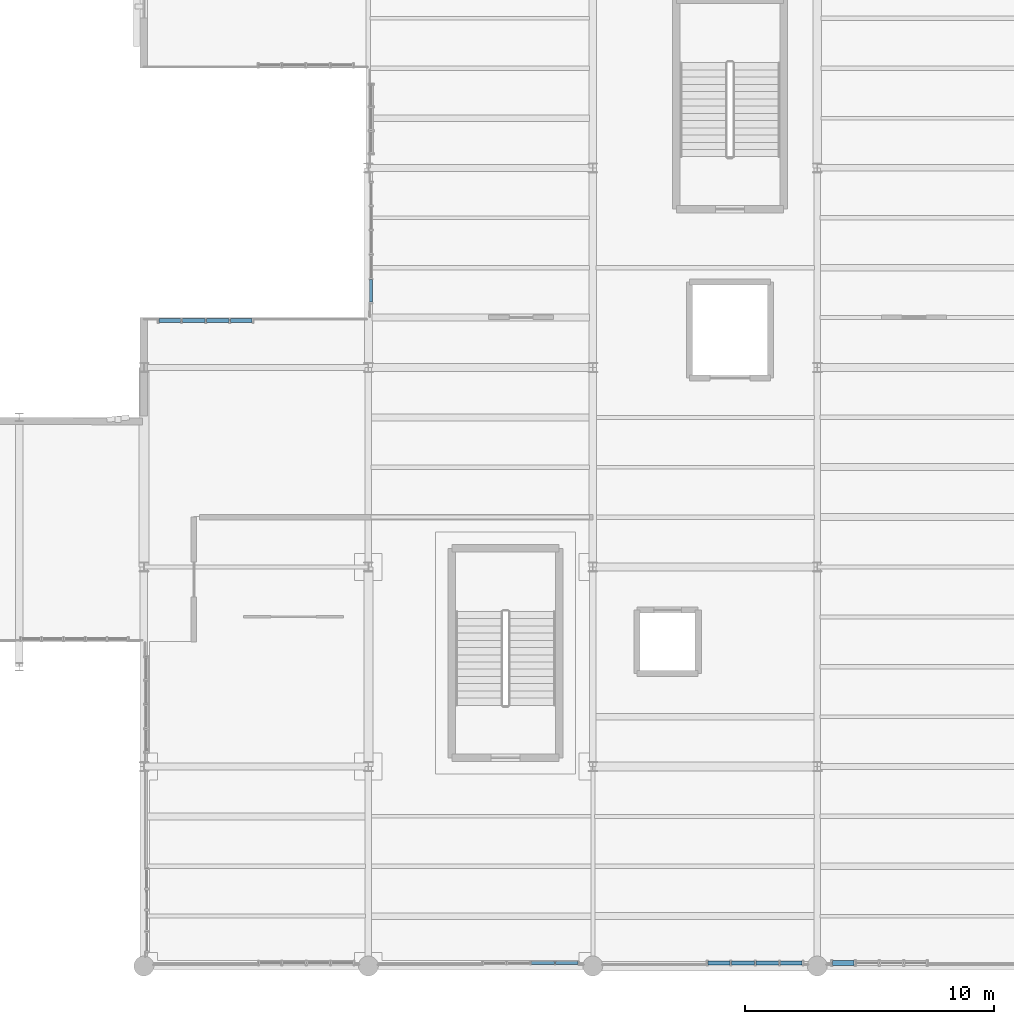
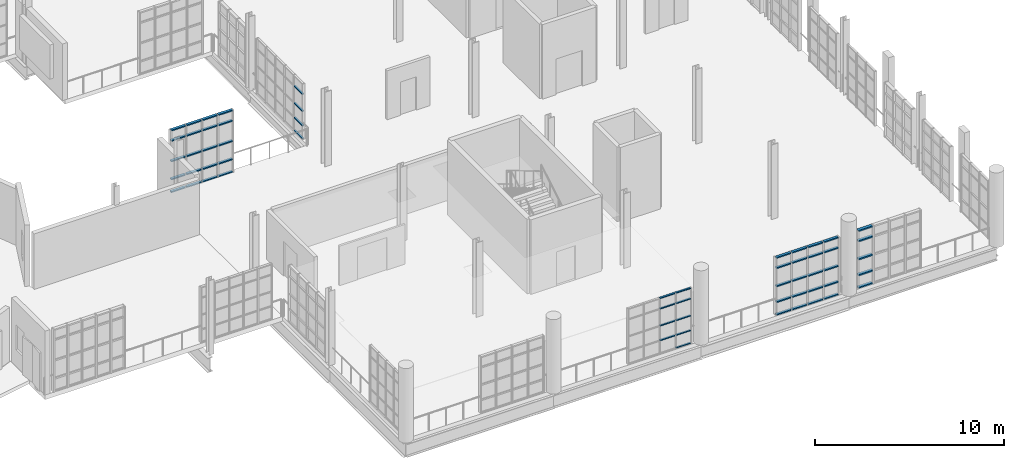
# One storey, part 65 of 122: 58 members, 5 elements without a shape of their own.
"""IFC4 building model written with IfcOpenShell, lengths in metres."""

from ifc_helpers import new_model, si_unit, direction, frame, origin, origin_2d, place, context, subcontext, project, spatial, hollow_rectangle, extrude, material, layer, layer_set, material_profile, profile_set, type_object, element, aggregate, save


model = new_model("IFC4")

# Units and contexts
model_context = context("Model", 3, precision=1e-05, world=origin(), true_north=direction((0.0, 1.0)))
body_context = subcontext(model_context, "Body", "Model", "MODEL_VIEW")
ifc_project = project(units=[si_unit("LENGTHUNIT", "METRE"), si_unit("AREAUNIT", "SQUARE_METRE"), si_unit("VOLUMEUNIT", "CUBIC_METRE"), si_unit("PLANEANGLEUNIT", "RADIAN"), si_unit("MASSUNIT", "GRAM", prefix="KILO"), si_unit("THERMODYNAMICTEMPERATUREUNIT", "KELVIN"), si_unit("POWERUNIT", "WATT")], contexts=[model_context])

# Site, building, storey
site_placement = place(None, origin())
site = spatial("IfcSite", under=ifc_project, at=site_placement, CompositionType="ELEMENT")
building_placement = place(site_placement, origin())
building = spatial("IfcBuilding", under=site, at=building_placement, Name="Zelmaris Science Centre", CompositionType="ELEMENT")
storey_placement = place(building_placement, frame((0.0, 0.0, 10.800048828125)))
storey = spatial("IfcBuildingStorey", under=building, at=storey_placement, Name="L02", CompositionType="ELEMENT", Elevation=10.800048828125)

# Curtain wall, members
ifc_material = material(Name="Anodised architectural aluminium 6063-T6", Category="aluminium")
ifc_layer_1 = layer(ifc_material, 0.219970703125, Name="Anodised architectural aluminium 6063-T6")
ifc_layer_set_1 = layer_set([ifc_layer_1], Name="Anodised architectural aluminium 6063-T6")
curtain_wall_type_1 = type_object("IfcCurtainWallType", Name="Curtain Wall CW-04", PredefinedType="USERDEFINED", material=ifc_layer_set_1)
curtain_wall_1_placement = place(storey_placement, origin())
curtain_wall_1 = element("IfcCurtainWall", 1, at=curtain_wall_1_placement, inside=storey, type_object=curtain_wall_type_1, Name="L02 Unitised curtain wall 240", ObjectType="GLAZED CURTAIN WALL", PredefinedType="USERDEFINED")
ifc_material_profile_1 = material_profile(ifc_material, hollow_rectangle(XDim=0.06005859375, YDim=0.110107421875, WallThickness=0.0029296875, at=origin_2d()), Name="ALU-TRN-60X110")
ifc_profile_set_1 = profile_set([ifc_material_profile_1], Name="Anodised architectural aluminium 6063-T6")
member_type_1 = type_object("IfcMemberType", Name="ALU-TRN-60X110", PredefinedType="USERDEFINED", material=ifc_profile_set_1)
member_1_placement = place(storey_placement, frame((125.407958984375, 8.1201171875, 0.010986328125), z_axis=(-1.0, 0.0, 0.0), x_axis=(0.0, 0.0, 1.0)))
member_1 = element("IfcMember", 2, at=member_1_placement, type_object=member_type_1, Name="CW-04 transom 1.1", ObjectType="TRANSOM", PredefinedType="USERDEFINED", context=body_context, shape_type="SweptSolid", body=[
    extrude(hollow_rectangle(XDim=0.06005859375, YDim=0.110107421875, WallThickness=0.0029296875, at=origin_2d()), origin(), (0.0, 0.0, 1.0), 0.89697265625),
])
member_2_placement = place(storey_placement, frame((125.407958984375, 8.1201171875, 0.8349609375), z_axis=(-1.0, 0.0, 0.0), x_axis=(0.0, 0.0, 1.0)))
member_2 = element("IfcMember", 3, at=member_2_placement, type_object=member_type_1, Name="CW-04 transom 1.2", ObjectType="TRANSOM", PredefinedType="USERDEFINED", context=body_context, shape_type="SweptSolid", body=[
    extrude(hollow_rectangle(XDim=0.06005859375, YDim=0.110107421875, WallThickness=0.0029296875, at=origin_2d()), origin(), (0.0, 0.0, 1.0), 0.89697265625),
])
member_3_placement = place(storey_placement, frame((125.407958984375, 8.1201171875, 1.781494140625), z_axis=(-1.0, 0.0, 0.0), x_axis=(0.0, 0.0, 1.0)))
member_3 = element("IfcMember", 4, at=member_3_placement, type_object=member_type_1, Name="CW-04 transom 1.3", ObjectType="TRANSOM", PredefinedType="USERDEFINED", context=body_context, shape_type="SweptSolid", body=[
    extrude(hollow_rectangle(XDim=0.06005859375, YDim=0.110107421875, WallThickness=0.0029296875, at=origin_2d()), origin(), (0.0, 0.0, 1.0), 0.89697265625),
])
member_4_placement = place(storey_placement, frame((125.407958984375, 8.1201171875, 2.8779296875), z_axis=(-1.0, 0.0, 0.0), x_axis=(0.0, 0.0, 1.0)))
member_4 = element("IfcMember", 5, at=member_4_placement, type_object=member_type_1, Name="CW-04 transom 1.4", ObjectType="TRANSOM", PredefinedType="USERDEFINED", context=body_context, shape_type="SweptSolid", body=[
    extrude(hollow_rectangle(XDim=0.06005859375, YDim=0.110107421875, WallThickness=0.0029296875, at=origin_2d()), origin(), (0.0, 0.0, 1.0), 0.89697265625),
])
member_5_placement = place(storey_placement, frame((125.407958984375, 8.1201171875, 3.552001953125), z_axis=(-1.0, 0.0, 0.0), x_axis=(0.0, 0.0, 1.0)))
member_5 = element("IfcMember", 6, at=member_5_placement, type_object=member_type_1, Name="CW-04 transom 1.5", ObjectType="TRANSOM", PredefinedType="USERDEFINED", context=body_context, shape_type="SweptSolid", body=[
    extrude(hollow_rectangle(XDim=0.06005859375, YDim=0.110107421875, WallThickness=0.0029296875, at=origin_2d()), origin(), (0.0, 0.0, 1.0), 0.89697265625),
])
member_6_placement = place(storey_placement, frame((124.458984375, 8.1201171875, 0.8349609375), z_axis=(-1.0, 0.0, 0.0), x_axis=(0.0, 0.0, 1.0)))
member_6 = element("IfcMember", 7, at=member_6_placement, type_object=member_type_1, Name="CW-04 transom 2.2", ObjectType="TRANSOM", PredefinedType="USERDEFINED", context=body_context, shape_type="SweptSolid", body=[
    extrude(hollow_rectangle(XDim=0.06005859375, YDim=0.110107421875, WallThickness=0.0029296875, at=origin_2d()), origin(), (0.0, 0.0, 1.0), 0.923095703125),
])
member_7_placement = place(storey_placement, frame((124.458984375, 8.1201171875, 1.781494140625), z_axis=(-1.0, 0.0, 0.0), x_axis=(0.0, 0.0, 1.0)))
member_7 = element("IfcMember", 8, at=member_7_placement, type_object=member_type_1, Name="CW-04 transom 2.3", ObjectType="TRANSOM", PredefinedType="USERDEFINED", context=body_context, shape_type="SweptSolid", body=[
    extrude(hollow_rectangle(XDim=0.06005859375, YDim=0.110107421875, WallThickness=0.0029296875, at=origin_2d()), origin(), (0.0, 0.0, 1.0), 0.923095703125),
])
member_8_placement = place(storey_placement, frame((124.458984375, 8.1201171875, 2.8779296875), z_axis=(-1.0, 0.0, 0.0), x_axis=(0.0, 0.0, 1.0)))
member_8 = element("IfcMember", 9, at=member_8_placement, type_object=member_type_1, Name="CW-04 transom 2.4", ObjectType="TRANSOM", PredefinedType="USERDEFINED", context=body_context, shape_type="SweptSolid", body=[
    extrude(hollow_rectangle(XDim=0.06005859375, YDim=0.110107421875, WallThickness=0.0029296875, at=origin_2d()), origin(), (0.0, 0.0, 1.0), 0.923095703125),
])
member_9_placement = place(storey_placement, frame((124.458984375, 8.1201171875, 3.552001953125), z_axis=(-1.0, 0.0, 0.0), x_axis=(0.0, 0.0, 1.0)))
member_9 = element("IfcMember", 10, at=member_9_placement, type_object=member_type_1, Name="CW-04 transom 2.5", ObjectType="TRANSOM", PredefinedType="USERDEFINED", context=body_context, shape_type="SweptSolid", body=[
    extrude(hollow_rectangle(XDim=0.06005859375, YDim=0.110107421875, WallThickness=0.0029296875, at=origin_2d()), origin(), (0.0, 0.0, 1.0), 0.923095703125),
])
aggregate(curtain_wall_1, [member_1, member_2, member_3, member_4, member_5, member_6, member_7, member_8, member_9])

curtain_wall_2_placement = place(storey_placement, origin())
curtain_wall_2 = element("IfcCurtainWall", 11, at=curtain_wall_2_placement, inside=storey, type_object=curtain_wall_type_1, Name="L02 Unitised curtain wall 264", ObjectType="GLAZED CURTAIN WALL", PredefinedType="USERDEFINED")
member_10_placement = place(storey_placement, frame((117.1103515625, 34.61865234375, 0.010986328125), z_axis=(0.001084304052, 0.999999412142, 0.0), x_axis=(0.0, 0.0, 1.0)))
member_10 = element("IfcMember", 12, at=member_10_placement, type_object=member_type_1, Name="CW-04 transom 1.1", ObjectType="TRANSOM", PredefinedType="USERDEFINED", context=body_context, shape_type="SweptSolid", body=[
    extrude(hollow_rectangle(XDim=0.06005859375, YDim=0.110107421875, WallThickness=0.0029296875, at=origin_2d()), origin(), (0.0, 0.0, 1.0), 0.900634765625),
])
member_11_placement = place(storey_placement, frame((117.1103515625, 34.61865234375, 0.8349609375), z_axis=(0.001084304052, 0.999999412142, 0.0), x_axis=(0.0, 0.0, 1.0)))
member_11 = element("IfcMember", 13, at=member_11_placement, type_object=member_type_1, Name="CW-04 transom 1.2", ObjectType="TRANSOM", PredefinedType="USERDEFINED", context=body_context, shape_type="SweptSolid", body=[
    extrude(hollow_rectangle(XDim=0.06005859375, YDim=0.110107421875, WallThickness=0.0029296875, at=origin_2d()), origin(), (0.0, 0.0, 1.0), 0.900634765625),
])
member_12_placement = place(storey_placement, frame((117.1103515625, 34.61865234375, 1.781494140625), z_axis=(0.001084304052, 0.999999412142, 0.0), x_axis=(0.0, 0.0, 1.0)))
member_12 = element("IfcMember", 14, at=member_12_placement, type_object=member_type_1, Name="CW-04 transom 1.3", ObjectType="TRANSOM", PredefinedType="USERDEFINED", context=body_context, shape_type="SweptSolid", body=[
    extrude(hollow_rectangle(XDim=0.06005859375, YDim=0.110107421875, WallThickness=0.0029296875, at=origin_2d()), origin(), (0.0, 0.0, 1.0), 0.900634765625),
])
member_13_placement = place(storey_placement, frame((117.1103515625, 34.61865234375, 2.8779296875), z_axis=(0.001084304052, 0.999999412142, 0.0), x_axis=(0.0, 0.0, 1.0)))
member_13 = element("IfcMember", 15, at=member_13_placement, type_object=member_type_1, Name="CW-04 transom 1.4", ObjectType="TRANSOM", PredefinedType="USERDEFINED", context=body_context, shape_type="SweptSolid", body=[
    extrude(hollow_rectangle(XDim=0.06005859375, YDim=0.110107421875, WallThickness=0.0029296875, at=origin_2d()), origin(), (0.0, 0.0, 1.0), 0.900634765625),
])
aggregate(curtain_wall_2, [member_10, member_11, member_12, member_13])

ifc_layer_2 = layer(ifc_material, 0.199951171875, Name="Anodised architectural aluminium 6063-T6")
ifc_layer_set_2 = layer_set([ifc_layer_2], Name="Anodised architectural aluminium 6063-T6")
curtain_wall_type_2 = type_object("IfcCurtainWallType", Name="Curtain Wall CW-02", PredefinedType="USERDEFINED", material=ifc_layer_set_2)
curtain_wall_3_placement = place(storey_placement, origin())
curtain_wall_3 = element("IfcCurtainWall", 16, at=curtain_wall_3_placement, inside=storey, type_object=curtain_wall_type_2, Name="L02 Unitised curtain wall 238", ObjectType="GLAZED CURTAIN WALL", PredefinedType="USERDEFINED")
ifc_material_profile_2 = material_profile(ifc_material, hollow_rectangle(XDim=0.074951171875, YDim=0.159912109375, WallThickness=0.00390625, at=origin_2d()), Name="ALU-TRN-75X160")
ifc_profile_set_2 = profile_set([ifc_material_profile_2], Name="Anodised architectural aluminium 6063-T6")
member_type_2 = type_object("IfcMemberType", Name="ALU-TRN-75X160", PredefinedType="USERDEFINED", material=ifc_profile_set_2)
member_14_placement = place(storey_placement, frame((134.39306640625, 8.1201171875, 0.0185546875), z_axis=(-1.0, 0.0, 0.0), x_axis=(0.0, 0.0, 1.0)))
member_14 = element("IfcMember", 17, at=member_14_placement, type_object=member_type_2, Name="CW-02 transom 1.1", ObjectType="TRANSOM", PredefinedType="USERDEFINED", context=body_context, shape_type="SweptSolid", body=[
    extrude(hollow_rectangle(XDim=0.074951171875, YDim=0.159912109375, WallThickness=0.00390625, at=origin_2d()), origin(), (0.0, 0.0, 1.0), 0.87451171875),
])
member_15_placement = place(storey_placement, frame((134.39306640625, 8.1201171875, 0.8349609375), z_axis=(-1.0, 0.0, 0.0), x_axis=(0.0, 0.0, 1.0)))
member_15 = element("IfcMember", 18, at=member_15_placement, type_object=member_type_2, Name="CW-02 transom 1.2", ObjectType="TRANSOM", PredefinedType="USERDEFINED", context=body_context, shape_type="SweptSolid", body=[
    extrude(hollow_rectangle(XDim=0.074951171875, YDim=0.159912109375, WallThickness=0.00390625, at=origin_2d()), origin(), (0.0, 0.0, 1.0), 0.87451171875),
])
member_16_placement = place(storey_placement, frame((134.39306640625, 8.1201171875, 1.8564453125), z_axis=(-1.0, 0.0, 0.0), x_axis=(0.0, 0.0, 1.0)))
member_16 = element("IfcMember", 19, at=member_16_placement, type_object=member_type_2, Name="CW-02 transom 1.3", ObjectType="TRANSOM", PredefinedType="USERDEFINED", context=body_context, shape_type="SweptSolid", body=[
    extrude(hollow_rectangle(XDim=0.074951171875, YDim=0.159912109375, WallThickness=0.00390625, at=origin_2d()), origin(), (0.0, 0.0, 1.0), 0.87451171875),
])
member_17_placement = place(storey_placement, frame((134.39306640625, 8.1201171875, 3.02783203125), z_axis=(-1.0, 0.0, 0.0), x_axis=(0.0, 0.0, 1.0)))
member_17 = element("IfcMember", 20, at=member_17_placement, type_object=member_type_2, Name="CW-02 transom 1.4", ObjectType="TRANSOM", PredefinedType="USERDEFINED", context=body_context, shape_type="SweptSolid", body=[
    extrude(hollow_rectangle(XDim=0.074951171875, YDim=0.159912109375, WallThickness=0.00390625, at=origin_2d()), origin(), (0.0, 0.0, 1.0), 0.87451171875),
])
member_18_placement = place(storey_placement, frame((134.39306640625, 8.1201171875, 3.6943359375), z_axis=(-1.0, 0.0, 0.0), x_axis=(0.0, 0.0, 1.0)))
member_18 = element("IfcMember", 21, at=member_18_placement, type_object=member_type_2, Name="CW-02 transom 1.5", ObjectType="TRANSOM", PredefinedType="USERDEFINED", context=body_context, shape_type="SweptSolid", body=[
    extrude(hollow_rectangle(XDim=0.074951171875, YDim=0.159912109375, WallThickness=0.00390625, at=origin_2d()), origin(), (0.0, 0.0, 1.0), 0.87451171875),
])
member_19_placement = place(storey_placement, frame((133.451416015625, 8.1201171875, 0.0185546875), z_axis=(-1.0, 0.0, 0.0), x_axis=(0.0, 0.0, 1.0)))
member_19 = element("IfcMember", 22, at=member_19_placement, type_object=member_type_2, Name="CW-02 transom 2.1", ObjectType="TRANSOM", PredefinedType="USERDEFINED", context=body_context, shape_type="SweptSolid", body=[
    extrude(hollow_rectangle(XDim=0.074951171875, YDim=0.159912109375, WallThickness=0.00390625, at=origin_2d()), origin(), (0.0, 0.0, 1.0), 0.907958984375),
])
member_20_placement = place(storey_placement, frame((133.451416015625, 8.1201171875, 0.8349609375), z_axis=(-1.0, 0.0, 0.0), x_axis=(0.0, 0.0, 1.0)))
member_20 = element("IfcMember", 23, at=member_20_placement, type_object=member_type_2, Name="CW-02 transom 2.2", ObjectType="TRANSOM", PredefinedType="USERDEFINED", context=body_context, shape_type="SweptSolid", body=[
    extrude(hollow_rectangle(XDim=0.074951171875, YDim=0.159912109375, WallThickness=0.00390625, at=origin_2d()), origin(), (0.0, 0.0, 1.0), 0.907958984375),
])
member_21_placement = place(storey_placement, frame((133.451416015625, 8.1201171875, 1.8564453125), z_axis=(-1.0, 0.0, 0.0), x_axis=(0.0, 0.0, 1.0)))
member_21 = element("IfcMember", 24, at=member_21_placement, type_object=member_type_2, Name="CW-02 transom 2.3", ObjectType="TRANSOM", PredefinedType="USERDEFINED", context=body_context, shape_type="SweptSolid", body=[
    extrude(hollow_rectangle(XDim=0.074951171875, YDim=0.159912109375, WallThickness=0.00390625, at=origin_2d()), origin(), (0.0, 0.0, 1.0), 0.907958984375),
])
member_22_placement = place(storey_placement, frame((133.451416015625, 8.1201171875, 3.02783203125), z_axis=(-1.0, 0.0, 0.0), x_axis=(0.0, 0.0, 1.0)))
member_22 = element("IfcMember", 25, at=member_22_placement, type_object=member_type_2, Name="CW-02 transom 2.4", ObjectType="TRANSOM", PredefinedType="USERDEFINED", context=body_context, shape_type="SweptSolid", body=[
    extrude(hollow_rectangle(XDim=0.074951171875, YDim=0.159912109375, WallThickness=0.00390625, at=origin_2d()), origin(), (0.0, 0.0, 1.0), 0.907958984375),
])
member_23_placement = place(storey_placement, frame((133.451416015625, 8.1201171875, 3.6943359375), z_axis=(-1.0, 0.0, 0.0), x_axis=(0.0, 0.0, 1.0)))
member_23 = element("IfcMember", 26, at=member_23_placement, type_object=member_type_2, Name="CW-02 transom 2.5", ObjectType="TRANSOM", PredefinedType="USERDEFINED", context=body_context, shape_type="SweptSolid", body=[
    extrude(hollow_rectangle(XDim=0.074951171875, YDim=0.159912109375, WallThickness=0.00390625, at=origin_2d()), origin(), (0.0, 0.0, 1.0), 0.907958984375),
])
member_24_placement = place(storey_placement, frame((132.4765625, 8.1201171875, 0.0185546875), z_axis=(-1.0, 0.0, 0.0), x_axis=(0.0, 0.0, 1.0)))
member_24 = element("IfcMember", 27, at=member_24_placement, type_object=member_type_2, Name="CW-02 transom 3.1", ObjectType="TRANSOM", PredefinedType="USERDEFINED", context=body_context, shape_type="SweptSolid", body=[
    extrude(hollow_rectangle(XDim=0.074951171875, YDim=0.159912109375, WallThickness=0.00390625, at=origin_2d()), origin(), (0.0, 0.0, 1.0), 0.907958984375),
])
member_25_placement = place(storey_placement, frame((132.4765625, 8.1201171875, 0.8349609375), z_axis=(-1.0, 0.0, 0.0), x_axis=(0.0, 0.0, 1.0)))
member_25 = element("IfcMember", 28, at=member_25_placement, type_object=member_type_2, Name="CW-02 transom 3.2", ObjectType="TRANSOM", PredefinedType="USERDEFINED", context=body_context, shape_type="SweptSolid", body=[
    extrude(hollow_rectangle(XDim=0.074951171875, YDim=0.159912109375, WallThickness=0.00390625, at=origin_2d()), origin(), (0.0, 0.0, 1.0), 0.907958984375),
])
member_26_placement = place(storey_placement, frame((132.4765625, 8.1201171875, 1.8564453125), z_axis=(-1.0, 0.0, 0.0), x_axis=(0.0, 0.0, 1.0)))
member_26 = element("IfcMember", 29, at=member_26_placement, type_object=member_type_2, Name="CW-02 transom 3.3", ObjectType="TRANSOM", PredefinedType="USERDEFINED", context=body_context, shape_type="SweptSolid", body=[
    extrude(hollow_rectangle(XDim=0.074951171875, YDim=0.159912109375, WallThickness=0.00390625, at=origin_2d()), origin(), (0.0, 0.0, 1.0), 0.907958984375),
])
member_27_placement = place(storey_placement, frame((132.4765625, 8.1201171875, 3.02783203125), z_axis=(-1.0, 0.0, 0.0), x_axis=(0.0, 0.0, 1.0)))
member_27 = element("IfcMember", 30, at=member_27_placement, type_object=member_type_2, Name="CW-02 transom 3.4", ObjectType="TRANSOM", PredefinedType="USERDEFINED", context=body_context, shape_type="SweptSolid", body=[
    extrude(hollow_rectangle(XDim=0.074951171875, YDim=0.159912109375, WallThickness=0.00390625, at=origin_2d()), origin(), (0.0, 0.0, 1.0), 0.907958984375),
])
member_28_placement = place(storey_placement, frame((132.4765625, 8.1201171875, 3.6943359375), z_axis=(-1.0, 0.0, 0.0), x_axis=(0.0, 0.0, 1.0)))
member_28 = element("IfcMember", 31, at=member_28_placement, type_object=member_type_2, Name="CW-02 transom 3.5", ObjectType="TRANSOM", PredefinedType="USERDEFINED", context=body_context, shape_type="SweptSolid", body=[
    extrude(hollow_rectangle(XDim=0.074951171875, YDim=0.159912109375, WallThickness=0.00390625, at=origin_2d()), origin(), (0.0, 0.0, 1.0), 0.907958984375),
])
member_29_placement = place(storey_placement, frame((131.50146484375, 8.1201171875, 0.0185546875), z_axis=(-1.0, 0.0, 0.0), x_axis=(0.0, 0.0, 1.0)))
member_29 = element("IfcMember", 32, at=member_29_placement, type_object=member_type_2, Name="CW-02 transom 4.1", ObjectType="TRANSOM", PredefinedType="USERDEFINED", context=body_context, shape_type="SweptSolid", body=[
    extrude(hollow_rectangle(XDim=0.074951171875, YDim=0.159912109375, WallThickness=0.00390625, at=origin_2d()), origin(), (0.0, 0.0, 1.0), 0.87451171875),
])
member_30_placement = place(storey_placement, frame((131.50146484375, 8.1201171875, 0.8349609375), z_axis=(-1.0, 0.0, 0.0), x_axis=(0.0, 0.0, 1.0)))
member_30 = element("IfcMember", 33, at=member_30_placement, type_object=member_type_2, Name="CW-02 transom 4.2", ObjectType="TRANSOM", PredefinedType="USERDEFINED", context=body_context, shape_type="SweptSolid", body=[
    extrude(hollow_rectangle(XDim=0.074951171875, YDim=0.159912109375, WallThickness=0.00390625, at=origin_2d()), origin(), (0.0, 0.0, 1.0), 0.87451171875),
])
member_31_placement = place(storey_placement, frame((131.50146484375, 8.1201171875, 1.8564453125), z_axis=(-1.0, 0.0, 0.0), x_axis=(0.0, 0.0, 1.0)))
member_31 = element("IfcMember", 34, at=member_31_placement, type_object=member_type_2, Name="CW-02 transom 4.3", ObjectType="TRANSOM", PredefinedType="USERDEFINED", context=body_context, shape_type="SweptSolid", body=[
    extrude(hollow_rectangle(XDim=0.074951171875, YDim=0.159912109375, WallThickness=0.00390625, at=origin_2d()), origin(), (0.0, 0.0, 1.0), 0.87451171875),
])
member_32_placement = place(storey_placement, frame((131.50146484375, 8.1201171875, 3.02783203125), z_axis=(-1.0, 0.0, 0.0), x_axis=(0.0, 0.0, 1.0)))
member_32 = element("IfcMember", 35, at=member_32_placement, type_object=member_type_2, Name="CW-02 transom 4.4", ObjectType="TRANSOM", PredefinedType="USERDEFINED", context=body_context, shape_type="SweptSolid", body=[
    extrude(hollow_rectangle(XDim=0.074951171875, YDim=0.159912109375, WallThickness=0.00390625, at=origin_2d()), origin(), (0.0, 0.0, 1.0), 0.87451171875),
])
member_33_placement = place(storey_placement, frame((131.50146484375, 8.1201171875, 3.6943359375), z_axis=(-1.0, 0.0, 0.0), x_axis=(0.0, 0.0, 1.0)))
member_33 = element("IfcMember", 36, at=member_33_placement, type_object=member_type_2, Name="CW-02 transom 4.5", ObjectType="TRANSOM", PredefinedType="USERDEFINED", context=body_context, shape_type="SweptSolid", body=[
    extrude(hollow_rectangle(XDim=0.074951171875, YDim=0.159912109375, WallThickness=0.00390625, at=origin_2d()), origin(), (0.0, 0.0, 1.0), 0.87451171875),
])
aggregate(curtain_wall_3, [member_14, member_15, member_16, member_17, member_18, member_19, member_20, member_21, member_22, member_23, member_24, member_25, member_26, member_27, member_28, member_29, member_30, member_31, member_32, member_33])

curtain_wall_4_placement = place(storey_placement, origin())
curtain_wall_4 = element("IfcCurtainWall", 37, at=curtain_wall_4_placement, inside=storey, type_object=curtain_wall_type_2, Name="L02 Unitised curtain wall 262", ObjectType="GLAZED CURTAIN WALL", PredefinedType="USERDEFINED")
member_34_placement = place(storey_placement, frame((108.607177734375, 33.8798828125, 0.0185546875), z_axis=(1.0, 0.0, 0.0), x_axis=(0.0, 0.0, 1.0)))
member_34 = element("IfcMember", 38, at=member_34_placement, type_object=member_type_2, Name="CW-02 transom 1.1", ObjectType="TRANSOM", PredefinedType="USERDEFINED", context=body_context, shape_type="SweptSolid", body=[
    extrude(hollow_rectangle(XDim=0.074951171875, YDim=0.159912109375, WallThickness=0.00390625, at=origin_2d()), origin(), (0.0, 0.0, 1.0), 0.866943359375),
])
member_35_placement = place(storey_placement, frame((108.607177734375, 33.8798828125, 0.8349609375), z_axis=(1.0, 0.0, 0.0), x_axis=(0.0, 0.0, 1.0)))
member_35 = element("IfcMember", 39, at=member_35_placement, type_object=member_type_2, Name="CW-02 transom 1.2", ObjectType="TRANSOM", PredefinedType="USERDEFINED", context=body_context, shape_type="SweptSolid", body=[
    extrude(hollow_rectangle(XDim=0.074951171875, YDim=0.159912109375, WallThickness=0.00390625, at=origin_2d()), origin(), (0.0, 0.0, 1.0), 0.866943359375),
])
member_36_placement = place(storey_placement, frame((108.607177734375, 33.8798828125, 2.00244140625), z_axis=(1.0, 0.0, 0.0), x_axis=(0.0, 0.0, 1.0)))
member_36 = element("IfcMember", 40, at=member_36_placement, type_object=member_type_2, Name="CW-02 transom 1.3", ObjectType="TRANSOM", PredefinedType="USERDEFINED", context=body_context, shape_type="SweptSolid", body=[
    extrude(hollow_rectangle(XDim=0.074951171875, YDim=0.159912109375, WallThickness=0.00390625, at=origin_2d()), origin(), (0.0, 0.0, 1.0), 0.866943359375),
])
member_37_placement = place(storey_placement, frame((108.607177734375, 33.8798828125, 3.320068359375), z_axis=(1.0, 0.0, 0.0), x_axis=(0.0, 0.0, 1.0)))
member_37 = element("IfcMember", 41, at=member_37_placement, type_object=member_type_2, Name="CW-02 transom 1.4", ObjectType="TRANSOM", PredefinedType="USERDEFINED", context=body_context, shape_type="SweptSolid", body=[
    extrude(hollow_rectangle(XDim=0.074951171875, YDim=0.159912109375, WallThickness=0.00390625, at=origin_2d()), origin(), (0.0, 0.0, 1.0), 0.866943359375),
])
member_38_placement = place(storey_placement, frame((108.607177734375, 33.8798828125, 3.986572265625), z_axis=(1.0, 0.0, 0.0), x_axis=(0.0, 0.0, 1.0)))
member_38 = element("IfcMember", 42, at=member_38_placement, type_object=member_type_2, Name="CW-02 transom 1.5", ObjectType="TRANSOM", PredefinedType="USERDEFINED", context=body_context, shape_type="SweptSolid", body=[
    extrude(hollow_rectangle(XDim=0.074951171875, YDim=0.159912109375, WallThickness=0.00390625, at=origin_2d()), origin(), (0.0, 0.0, 1.0), 0.866943359375),
])
member_39_placement = place(storey_placement, frame((109.541015625, 33.8798828125, 0.0185546875), z_axis=(1.0, 0.0, 0.0), x_axis=(0.0, 0.0, 1.0)))
member_39 = element("IfcMember", 43, at=member_39_placement, type_object=member_type_2, Name="CW-02 transom 2.1", ObjectType="TRANSOM", PredefinedType="USERDEFINED", context=body_context, shape_type="SweptSolid", body=[
    extrude(hollow_rectangle(XDim=0.074951171875, YDim=0.159912109375, WallThickness=0.00390625, at=origin_2d()), origin(), (0.0, 0.0, 1.0), 0.900634765625),
])
member_40_placement = place(storey_placement, frame((109.541015625, 33.8798828125, 0.8349609375), z_axis=(1.0, 0.0, 0.0), x_axis=(0.0, 0.0, 1.0)))
member_40 = element("IfcMember", 44, at=member_40_placement, type_object=member_type_2, Name="CW-02 transom 2.2", ObjectType="TRANSOM", PredefinedType="USERDEFINED", context=body_context, shape_type="SweptSolid", body=[
    extrude(hollow_rectangle(XDim=0.074951171875, YDim=0.159912109375, WallThickness=0.00390625, at=origin_2d()), origin(), (0.0, 0.0, 1.0), 0.900634765625),
])
member_41_placement = place(storey_placement, frame((109.541015625, 33.8798828125, 2.00244140625), z_axis=(1.0, 0.0, 0.0), x_axis=(0.0, 0.0, 1.0)))
member_41 = element("IfcMember", 45, at=member_41_placement, type_object=member_type_2, Name="CW-02 transom 2.3", ObjectType="TRANSOM", PredefinedType="USERDEFINED", context=body_context, shape_type="SweptSolid", body=[
    extrude(hollow_rectangle(XDim=0.074951171875, YDim=0.159912109375, WallThickness=0.00390625, at=origin_2d()), origin(), (0.0, 0.0, 1.0), 0.900634765625),
])
member_42_placement = place(storey_placement, frame((109.541015625, 33.8798828125, 3.320068359375), z_axis=(1.0, 0.0, 0.0), x_axis=(0.0, 0.0, 1.0)))
member_42 = element("IfcMember", 46, at=member_42_placement, type_object=member_type_2, Name="CW-02 transom 2.4", ObjectType="TRANSOM", PredefinedType="USERDEFINED", context=body_context, shape_type="SweptSolid", body=[
    extrude(hollow_rectangle(XDim=0.074951171875, YDim=0.159912109375, WallThickness=0.00390625, at=origin_2d()), origin(), (0.0, 0.0, 1.0), 0.900634765625),
])
member_43_placement = place(storey_placement, frame((109.541015625, 33.8798828125, 3.986572265625), z_axis=(1.0, 0.0, 0.0), x_axis=(0.0, 0.0, 1.0)))
member_43 = element("IfcMember", 47, at=member_43_placement, type_object=member_type_2, Name="CW-02 transom 2.5", ObjectType="TRANSOM", PredefinedType="USERDEFINED", context=body_context, shape_type="SweptSolid", body=[
    extrude(hollow_rectangle(XDim=0.074951171875, YDim=0.159912109375, WallThickness=0.00390625, at=origin_2d()), origin(), (0.0, 0.0, 1.0), 0.900634765625),
])
member_44_placement = place(storey_placement, frame((110.508544921875, 33.8798828125, 0.0185546875), z_axis=(1.0, 0.0, 0.0), x_axis=(0.0, 0.0, 1.0)))
member_44 = element("IfcMember", 48, at=member_44_placement, type_object=member_type_2, Name="CW-02 transom 3.1", ObjectType="TRANSOM", PredefinedType="USERDEFINED", context=body_context, shape_type="SweptSolid", body=[
    extrude(hollow_rectangle(XDim=0.074951171875, YDim=0.159912109375, WallThickness=0.00390625, at=origin_2d()), origin(), (0.0, 0.0, 1.0), 0.900390625),
])
member_45_placement = place(storey_placement, frame((110.508544921875, 33.8798828125, 0.8349609375), z_axis=(1.0, 0.0, 0.0), x_axis=(0.0, 0.0, 1.0)))
member_45 = element("IfcMember", 49, at=member_45_placement, type_object=member_type_2, Name="CW-02 transom 3.2", ObjectType="TRANSOM", PredefinedType="USERDEFINED", context=body_context, shape_type="SweptSolid", body=[
    extrude(hollow_rectangle(XDim=0.074951171875, YDim=0.159912109375, WallThickness=0.00390625, at=origin_2d()), origin(), (0.0, 0.0, 1.0), 0.900390625),
])
member_46_placement = place(storey_placement, frame((110.508544921875, 33.8798828125, 2.00244140625), z_axis=(1.0, 0.0, 0.0), x_axis=(0.0, 0.0, 1.0)))
member_46 = element("IfcMember", 50, at=member_46_placement, type_object=member_type_2, Name="CW-02 transom 3.3", ObjectType="TRANSOM", PredefinedType="USERDEFINED", context=body_context, shape_type="SweptSolid", body=[
    extrude(hollow_rectangle(XDim=0.074951171875, YDim=0.159912109375, WallThickness=0.00390625, at=origin_2d()), origin(), (0.0, 0.0, 1.0), 0.900390625),
])
member_47_placement = place(storey_placement, frame((110.508544921875, 33.8798828125, 3.320068359375), z_axis=(1.0, 0.0, 0.0), x_axis=(0.0, 0.0, 1.0)))
member_47 = element("IfcMember", 51, at=member_47_placement, type_object=member_type_2, Name="CW-02 transom 3.4", ObjectType="TRANSOM", PredefinedType="USERDEFINED", context=body_context, shape_type="SweptSolid", body=[
    extrude(hollow_rectangle(XDim=0.074951171875, YDim=0.159912109375, WallThickness=0.00390625, at=origin_2d()), origin(), (0.0, 0.0, 1.0), 0.900390625),
])
member_48_placement = place(storey_placement, frame((110.508544921875, 33.8798828125, 3.986572265625), z_axis=(1.0, 0.0, 0.0), x_axis=(0.0, 0.0, 1.0)))
member_48 = element("IfcMember", 52, at=member_48_placement, type_object=member_type_2, Name="CW-02 transom 3.5", ObjectType="TRANSOM", PredefinedType="USERDEFINED", context=body_context, shape_type="SweptSolid", body=[
    extrude(hollow_rectangle(XDim=0.074951171875, YDim=0.159912109375, WallThickness=0.00390625, at=origin_2d()), origin(), (0.0, 0.0, 1.0), 0.900390625),
])
member_49_placement = place(storey_placement, frame((111.47607421875, 33.8798828125, 0.0185546875), z_axis=(1.0, 0.0, 0.0), x_axis=(0.0, 0.0, 1.0)))
member_49 = element("IfcMember", 53, at=member_49_placement, type_object=member_type_2, Name="CW-02 transom 4.1", ObjectType="TRANSOM", PredefinedType="USERDEFINED", context=body_context, shape_type="SweptSolid", body=[
    extrude(hollow_rectangle(XDim=0.074951171875, YDim=0.159912109375, WallThickness=0.00390625, at=origin_2d()), origin(), (0.0, 0.0, 1.0), 0.866943359375),
])
member_50_placement = place(storey_placement, frame((111.47607421875, 33.8798828125, 0.8349609375), z_axis=(1.0, 0.0, 0.0), x_axis=(0.0, 0.0, 1.0)))
member_50 = element("IfcMember", 54, at=member_50_placement, type_object=member_type_2, Name="CW-02 transom 4.2", ObjectType="TRANSOM", PredefinedType="USERDEFINED", context=body_context, shape_type="SweptSolid", body=[
    extrude(hollow_rectangle(XDim=0.074951171875, YDim=0.159912109375, WallThickness=0.00390625, at=origin_2d()), origin(), (0.0, 0.0, 1.0), 0.866943359375),
])
member_51_placement = place(storey_placement, frame((111.47607421875, 33.8798828125, 2.00244140625), z_axis=(1.0, 0.0, 0.0), x_axis=(0.0, 0.0, 1.0)))
member_51 = element("IfcMember", 55, at=member_51_placement, type_object=member_type_2, Name="CW-02 transom 4.3", ObjectType="TRANSOM", PredefinedType="USERDEFINED", context=body_context, shape_type="SweptSolid", body=[
    extrude(hollow_rectangle(XDim=0.074951171875, YDim=0.159912109375, WallThickness=0.00390625, at=origin_2d()), origin(), (0.0, 0.0, 1.0), 0.866943359375),
])
member_52_placement = place(storey_placement, frame((111.47607421875, 33.8798828125, 3.320068359375), z_axis=(1.0, 0.0, 0.0), x_axis=(0.0, 0.0, 1.0)))
member_52 = element("IfcMember", 56, at=member_52_placement, type_object=member_type_2, Name="CW-02 transom 4.4", ObjectType="TRANSOM", PredefinedType="USERDEFINED", context=body_context, shape_type="SweptSolid", body=[
    extrude(hollow_rectangle(XDim=0.074951171875, YDim=0.159912109375, WallThickness=0.00390625, at=origin_2d()), origin(), (0.0, 0.0, 1.0), 0.866943359375),
])
member_53_placement = place(storey_placement, frame((111.47607421875, 33.8798828125, 3.986572265625), z_axis=(1.0, 0.0, 0.0), x_axis=(0.0, 0.0, 1.0)))
member_53 = element("IfcMember", 57, at=member_53_placement, type_object=member_type_2, Name="CW-02 transom 4.5", ObjectType="TRANSOM", PredefinedType="USERDEFINED", context=body_context, shape_type="SweptSolid", body=[
    extrude(hollow_rectangle(XDim=0.074951171875, YDim=0.159912109375, WallThickness=0.00390625, at=origin_2d()), origin(), (0.0, 0.0, 1.0), 0.866943359375),
])
aggregate(curtain_wall_4, [member_34, member_35, member_36, member_37, member_38, member_39, member_40, member_41, member_42, member_43, member_44, member_45, member_46, member_47, member_48, member_49, member_50, member_51, member_52, member_53])

ifc_layer_3 = layer(ifc_material, 0.18994140625, Name="Anodised architectural aluminium 6063-T6")
ifc_layer_set_3 = layer_set([ifc_layer_3], Name="Anodised architectural aluminium 6063-T6")
curtain_wall_type_3 = type_object("IfcCurtainWallType", Name="Curtain Wall CW-01", PredefinedType="USERDEFINED", material=ifc_layer_set_3)
curtain_wall_5_placement = place(storey_placement, origin())
curtain_wall_5 = element("IfcCurtainWall", 58, at=curtain_wall_5_placement, inside=storey, type_object=curtain_wall_type_3, Name="L02 Unitised curtain wall 237", ObjectType="GLAZED CURTAIN WALL", PredefinedType="USERDEFINED")
ifc_material_profile_3 = material_profile(ifc_material, hollow_rectangle(XDim=0.080078125, YDim=0.18994140625, WallThickness=0.00439453125, at=origin_2d()), Name="ALU-TRN-80X190")
ifc_profile_set_3 = profile_set([ifc_material_profile_3], Name="Anodised architectural aluminium 6063-T6")
member_type_3 = type_object("IfcMemberType", Name="ALU-TRN-80X190", PredefinedType="USERDEFINED", material=ifc_profile_set_3)
member_54_placement = place(storey_placement, frame((136.47900390625, 8.1201171875, 0.02099609375), z_axis=(-1.0, 0.0, 0.0), x_axis=(0.0, 0.0, 1.0)))
member_54 = element("IfcMember", 59, at=member_54_placement, type_object=member_type_3, Name="CW-01 transom 4.1", ObjectType="TRANSOM", PredefinedType="USERDEFINED", context=body_context, shape_type="SweptSolid", body=[
    extrude(hollow_rectangle(XDim=0.080078125, YDim=0.18994140625, WallThickness=0.00439453125, at=origin_2d()), origin(), (0.0, 0.0, 1.0), 0.866943359375),
])
member_55_placement = place(storey_placement, frame((136.47900390625, 8.1201171875, 0.8349609375), z_axis=(-1.0, 0.0, 0.0), x_axis=(0.0, 0.0, 1.0)))
member_55 = element("IfcMember", 60, at=member_55_placement, type_object=member_type_3, Name="CW-01 transom 4.2", ObjectType="TRANSOM", PredefinedType="USERDEFINED", context=body_context, shape_type="SweptSolid", body=[
    extrude(hollow_rectangle(XDim=0.080078125, YDim=0.18994140625, WallThickness=0.00439453125, at=origin_2d()), origin(), (0.0, 0.0, 1.0), 0.866943359375),
])
member_56_placement = place(storey_placement, frame((136.47900390625, 8.1201171875, 1.8564453125), z_axis=(-1.0, 0.0, 0.0), x_axis=(0.0, 0.0, 1.0)))
member_56 = element("IfcMember", 61, at=member_56_placement, type_object=member_type_3, Name="CW-01 transom 4.3", ObjectType="TRANSOM", PredefinedType="USERDEFINED", context=body_context, shape_type="SweptSolid", body=[
    extrude(hollow_rectangle(XDim=0.080078125, YDim=0.18994140625, WallThickness=0.00439453125, at=origin_2d()), origin(), (0.0, 0.0, 1.0), 0.866943359375),
])
member_57_placement = place(storey_placement, frame((136.47900390625, 8.1201171875, 3.02783203125), z_axis=(-1.0, 0.0, 0.0), x_axis=(0.0, 0.0, 1.0)))
member_57 = element("IfcMember", 62, at=member_57_placement, type_object=member_type_3, Name="CW-01 transom 4.4", ObjectType="TRANSOM", PredefinedType="USERDEFINED", context=body_context, shape_type="SweptSolid", body=[
    extrude(hollow_rectangle(XDim=0.080078125, YDim=0.18994140625, WallThickness=0.00439453125, at=origin_2d()), origin(), (0.0, 0.0, 1.0), 0.866943359375),
])
member_58_placement = place(storey_placement, frame((136.47900390625, 8.1201171875, 3.69189453125), z_axis=(-1.0, 0.0, 0.0), x_axis=(0.0, 0.0, 1.0)))
member_58 = element("IfcMember", 63, at=member_58_placement, type_object=member_type_3, Name="CW-01 transom 4.5", ObjectType="TRANSOM", PredefinedType="USERDEFINED", context=body_context, shape_type="SweptSolid", body=[
    extrude(hollow_rectangle(XDim=0.080078125, YDim=0.18994140625, WallThickness=0.00439453125, at=origin_2d()), origin(), (0.0, 0.0, 1.0), 0.866943359375),
])
aggregate(curtain_wall_5, [member_54, member_55, member_56, member_57, member_58])

save(model, "model.ifc")
